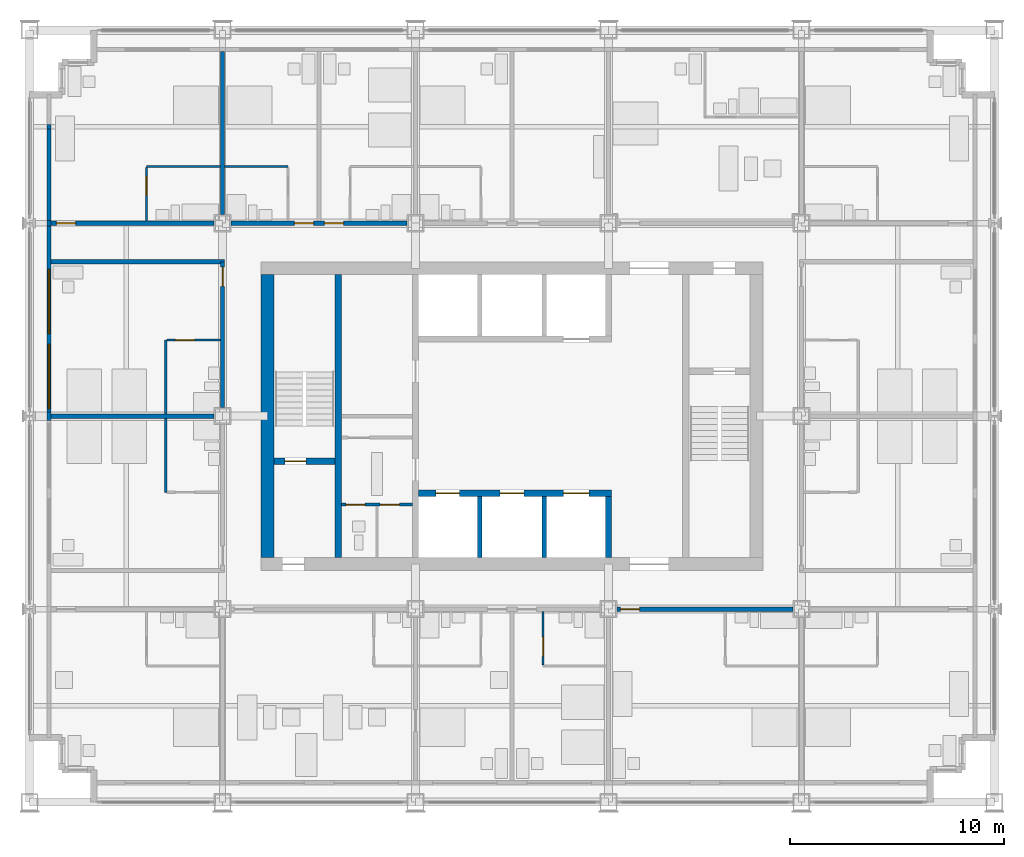
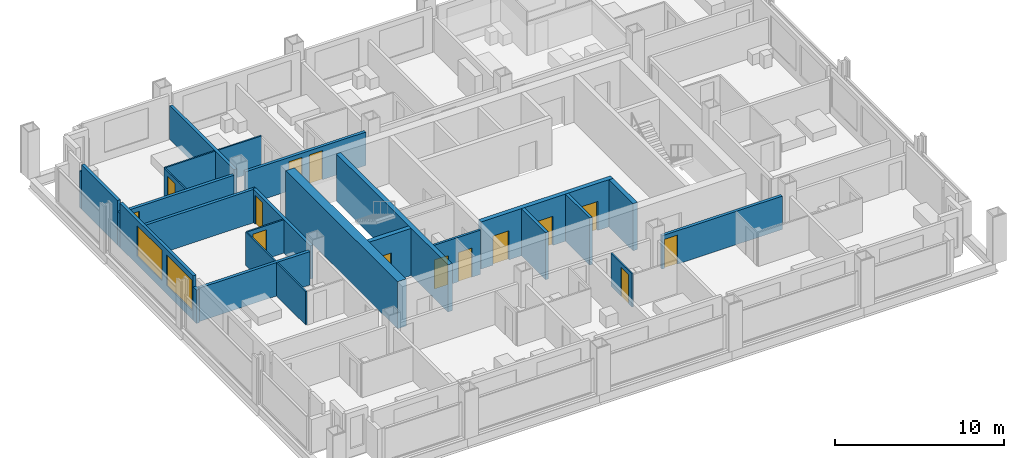
# One storey, part 10 of 16: 27 walls, 14 doors, 2 windows, 16 openings.
"""IFC4 building model written with IfcOpenShell, lengths in metres."""

from ifc_helpers import new_model, si_unit, direction, frame, frame_2d, origin, place, context, subcontext, project, spatial, rectangle, extrude, material, layer, layer_set, type_object, element, fill, save


model = new_model("IFC4")

# Units and contexts
model_context = context("Model", 3, precision=1e-05, world=origin(), true_north=direction((0.0, 1.0)))
body_context = subcontext(model_context, "Body", "Model", "MODEL_VIEW")
ifc_project = project(units=[si_unit("LENGTHUNIT", "METRE"), si_unit("AREAUNIT", "SQUARE_METRE"), si_unit("VOLUMEUNIT", "CUBIC_METRE"), si_unit("PLANEANGLEUNIT", "RADIAN"), si_unit("MASSUNIT", "GRAM", prefix="KILO")], contexts=[model_context])

# Site, building, storey
site_placement = place(None, origin())
site = spatial("IfcSite", under=ifc_project, at=site_placement, CompositionType="ELEMENT")
building_placement = place(site_placement, origin())
building = spatial("IfcBuilding", under=site, at=building_placement, Name="Loomwork Tower", CompositionType="ELEMENT")
storey_placement = place(building_placement, frame((0.0, 0.0, 135.0)))
storey = spatial("IfcBuildingStorey", under=building, at=storey_placement, Name="L36", CompositionType="ELEMENT", Elevation=135.0)

# Wall
ifc_material_1 = material(Name="Concrete 14000 psi (97 MPa)", Category="concrete")
ifc_layer_1 = layer(ifc_material_1, 0.300048828125)
ifc_layer_set_1 = layer_set([ifc_layer_1], Name="Core shear wall 300")
wall_type_1 = type_object("IfcWallType", Name="Core shear wall 300", PredefinedType="SHEAR", material=ifc_layer_set_1)
wall_1_placement = place(storey_placement, frame((14.39990234375, 11.39990234375, 0.0), z_axis=(0.0, 0.0, 1.0), x_axis=(0.0, 1.0, 0.0)))
element("IfcWall", 1, at=wall_1_placement, inside=storey, type_object=wall_type_1, Name="Stair A east wall L36", PredefinedType="SHEAR", context=body_context, shape_type="SweptSolid", body=[
    extrude(rectangle(XDim=13.2001953125, YDim=0.300048828125, at=frame_2d((6.60009765625, 0.0))), origin(), (0.0, 0.0, 1.0), 3.39990234375),
])

# Wall, opening, door
wall_2_placement = place(storey_placement, frame((11.39990234375, 15.89990234375, 0.0), z_axis=(0.0, 0.0, 1.0), x_axis=(1.0, 0.0, 0.0)))
wall_2 = element("IfcWall", 2, at=wall_2_placement, inside=storey, type_object=wall_type_1, Name="Stair A south wall L36", PredefinedType="SHEAR", context=body_context, shape_type="SweptSolid", body=[
    extrude(rectangle(XDim=2.85009765625, YDim=0.300048828125, at=frame_2d((1.425048828125, 0.0))), origin(), (0.0, 0.0, 1.0), 3.39990234375),
])
opening_1_placement = place(wall_2_placement, frame((0.5, 0.0, 0.0)))
opening_1 = element("IfcOpeningElement", 3, at=opening_1_placement, cuts=wall_2, Name="Opening D4", PredefinedType="OPENING", context=body_context, shape_type="SweptSolid", body=[
    extrude(rectangle(XDim=1.0, YDim=2.10009765625, at=frame_2d((0.5, 1.050048828125))), frame((0.0, 0.159912109375, 0.0), z_axis=(0.0, -1.0, 0.0), x_axis=(1.0, 0.0, 0.0)), (0.0, 0.0, 1.0), 0.320068359375),
])
ifc_material_2 = material(Name="Hollow metal door and frame")
door_type_1 = type_object("IfcDoorType", Name="Stair door 1000", OperationType="SINGLE_SWING_RIGHT", PredefinedType="DOOR", material=ifc_material_2)
door_1_placement = place(opening_1_placement, origin())
door_1 = element("IfcDoor", 4, at=door_1_placement, inside=storey, type_object=door_type_1, Name="Stair A door", OperationType="SINGLE_SWING_LEFT", OverallHeight=2.10009765625, OverallWidth=1.0, PredefinedType="DOOR", context=body_context, shape_type="SweptSolid", body=[
    extrude(rectangle(XDim=1.0, YDim=2.10009765625, at=frame_2d((0.5, 1.050048828125))), frame((0.0, 0.02490234375, 0.0), z_axis=(0.0, -1.0, 0.0), x_axis=(1.0, 0.0, 0.0)), (0.0, 0.0, 1.0), 0.050048828125),
])
fill(opening_1, door_1)

# Wall, openings, doors
wall_3_placement = place(storey_placement, frame((18.14990234375, 14.39990234375, 0.0), z_axis=(0.0, 0.0, 1.0), x_axis=(1.0, 0.0, 0.0)))
wall_3 = element("IfcWall", 5, at=wall_3_placement, inside=storey, type_object=wall_type_1, Name="Lift front wall south L36", PredefinedType="SHEAR", context=body_context, shape_type="SweptSolid", body=[
    extrude(rectangle(XDim=9.0, YDim=0.300048828125, at=frame_2d((4.5, 0.0))), origin(), (0.0, 0.0, 1.0), 3.39990234375),
])
opening_2_placement = place(wall_3_placement, frame((0.800048828125, 0.0, 0.0)))
opening_2 = element("IfcOpeningElement", 6, at=opening_2_placement, cuts=wall_3, Name="Opening LD1", PredefinedType="OPENING", context=body_context, shape_type="SweptSolid", body=[
    extrude(rectangle(XDim=1.10009765625, YDim=2.10009765625, at=frame_2d((0.550048828125, 1.050048828125))), frame((0.0, 0.159912109375, 0.0), z_axis=(0.0, -1.0, 0.0), x_axis=(1.0, 0.0, 0.0)), (0.0, 0.0, 1.0), 0.320068359375),
])
opening_3_placement = place(wall_3_placement, frame((3.800048828125, 0.0, 0.0)))
opening_3 = element("IfcOpeningElement", 7, at=opening_3_placement, cuts=wall_3, Name="Opening LD1", PredefinedType="OPENING", context=body_context, shape_type="SweptSolid", body=[
    extrude(rectangle(XDim=1.10009765625, YDim=2.10009765625, at=frame_2d((0.550048828125, 1.050048828125))), frame((0.0, 0.159912109375, 0.0), z_axis=(0.0, -1.0, 0.0), x_axis=(1.0, 0.0, 0.0)), (0.0, 0.0, 1.0), 0.320068359375),
])
opening_4_placement = place(wall_3_placement, frame((6.75, 0.0, 0.0)))
opening_4 = element("IfcOpeningElement", 8, at=opening_4_placement, cuts=wall_3, Name="Opening LD2", PredefinedType="OPENING", context=body_context, shape_type="SweptSolid", body=[
    extrude(rectangle(XDim=1.199951171875, YDim=2.10009765625, at=frame_2d((0.60009765625, 1.050048828125))), frame((0.0, 0.159912109375, 0.0), z_axis=(0.0, -1.0, 0.0), x_axis=(1.0, 0.0, 0.0)), (0.0, 0.0, 1.0), 0.320068359375),
])
ifc_material_3 = material(Name="Hollow metal door and frame")
door_type_2 = type_object("IfcDoorType", Name="Lift landing door 1100", OperationType="SLIDING_TO_LEFT", PredefinedType="DOOR", material=ifc_material_3)
door_2_placement = place(opening_2_placement, origin())
door_2 = element("IfcDoor", 9, at=door_2_placement, inside=storey, type_object=door_type_2, Name="Lift landing door LB1", OperationType="SLIDING_TO_LEFT", OverallHeight=2.10009765625, OverallWidth=1.10009765625, PredefinedType="DOOR", context=body_context, shape_type="SweptSolid", body=[
    extrude(rectangle(XDim=1.10009765625, YDim=2.10009765625, at=frame_2d((0.550048828125, 1.050048828125))), frame((0.0, 0.02490234375, 0.0), z_axis=(0.0, -1.0, 0.0), x_axis=(1.0, 0.0, 0.0)), (0.0, 0.0, 1.0), 0.050048828125),
])
fill(opening_2, door_2)
door_3_placement = place(opening_3_placement, origin())
door_3 = element("IfcDoor", 10, at=door_3_placement, inside=storey, type_object=door_type_2, Name="Lift landing door LB2", OperationType="SLIDING_TO_LEFT", OverallHeight=2.10009765625, OverallWidth=1.10009765625, PredefinedType="DOOR", context=body_context, shape_type="SweptSolid", body=[
    extrude(rectangle(XDim=1.10009765625, YDim=2.10009765625, at=frame_2d((0.550048828125, 1.050048828125))), frame((0.0, 0.02490234375, 0.0), z_axis=(0.0, -1.0, 0.0), x_axis=(1.0, 0.0, 0.0)), (0.0, 0.0, 1.0), 0.050048828125),
])
fill(opening_3, door_3)
ifc_material_4 = material(Name="Hollow metal door and frame")
door_type_3 = type_object("IfcDoorType", Name="Lift landing door 1200", OperationType="SLIDING_TO_LEFT", PredefinedType="DOOR", material=ifc_material_4)
door_4_placement = place(opening_4_placement, origin())
door_4 = element("IfcDoor", 11, at=door_4_placement, inside=storey, type_object=door_type_3, Name="Lift landing door LF1", OperationType="SLIDING_TO_LEFT", OverallHeight=2.10009765625, OverallWidth=1.199951171875, PredefinedType="DOOR", context=body_context, shape_type="SweptSolid", body=[
    extrude(rectangle(XDim=1.199951171875, YDim=2.10009765625, at=frame_2d((0.60009765625, 1.050048828125))), frame((0.0, 0.02490234375, 0.0), z_axis=(0.0, -1.0, 0.0), x_axis=(1.0, 0.0, 0.0)), (0.0, 0.0, 1.0), 0.050048828125),
])
fill(opening_4, door_4)

# Walls
wall_4_placement = place(storey_placement, frame((27.0, 11.39990234375, 0.0), z_axis=(0.0, 0.0, 1.0), x_axis=(0.0, 1.0, 0.0)))
element("IfcWall", 12, at=wall_4_placement, inside=storey, type_object=wall_type_1, Name="Lift shaft end wall south L36", PredefinedType="SHEAR", context=body_context, shape_type="SweptSolid", body=[
    extrude(rectangle(XDim=2.85009765625, YDim=0.300048828125, at=frame_2d((1.425048828125, 0.0))), origin(), (0.0, 0.0, 1.0), 3.39990234375),
])
ifc_material_5 = material(Name="Concrete 14000 psi (97 MPa)", Category="concrete")
ifc_layer_2 = layer(ifc_material_5, 0.60009765625)
ifc_layer_set_2 = layer_set([ifc_layer_2], Name="Core shear wall 600")
wall_type_2 = type_object("IfcWallType", Name="Core shear wall 600", PredefinedType="SHEAR", material=ifc_layer_set_2)
wall_5_placement = place(storey_placement, frame((11.10009765625, 11.39990234375, 0.0), z_axis=(0.0, 0.0, 1.0), x_axis=(0.0, 1.0, 0.0)))
element("IfcWall", 13, at=wall_5_placement, inside=storey, type_object=wall_type_2, Name="Core wall west L36", PredefinedType="SHEAR", context=body_context, shape_type="SweptSolid", body=[
    extrude(rectangle(XDim=13.2001953125, YDim=0.60009765625, at=frame_2d((6.60009765625, 0.0))), origin(), (0.0, 0.0, 1.0), 3.39990234375),
])

# Wall, opening, door
ifc_material_6 = material(Name="Gypsum board on steel studs, one-hour", Category="steel")
ifc_layer_3 = layer(ifc_material_6, 0.199951171875)
ifc_layer_set_3 = layer_set([ifc_layer_3], Name="Corridor wall 200")
wall_type_3 = type_object("IfcWallType", Name="Corridor wall 200", PredefinedType="PARTITIONING", material=ifc_layer_set_3)
wall_6_placement = place(storey_placement, frame((27.39990234375, 9.0, 0.0), z_axis=(0.0, 0.0, 1.0), x_axis=(1.0, 0.0, 0.0)))
wall_6 = element("IfcWall", 14, at=wall_6_placement, inside=storey, type_object=wall_type_3, Name="South corridor wall 4", PredefinedType="PARTITIONING", context=body_context, shape_type="SweptSolid", body=[
    extrude(rectangle(XDim=8.2001953125, YDim=0.199951171875, at=frame_2d((4.10009765625, 0.0))), origin(), (0.0, 0.0, 1.0), 2.405029296875),
])
opening_5_placement = place(wall_6_placement, frame((0.14990234375, 0.0, 0.0)))
opening_5 = element("IfcOpeningElement", 15, at=opening_5_placement, cuts=wall_6, Name="Opening D1", PredefinedType="OPENING", context=body_context, shape_type="SweptSolid", body=[
    extrude(rectangle(XDim=0.89990234375, YDim=2.10009765625, at=frame_2d((0.449951171875, 1.050048828125))), frame((0.0, 0.10986328125, 0.0), z_axis=(0.0, -1.0, 0.0), x_axis=(1.0, 0.0, 0.0)), (0.0, 0.0, 1.0), 0.219970703125),
])
ifc_material_7 = material(Name="Hollow metal door and frame")
door_type_4 = type_object("IfcDoorType", Name="Guest room entry door 900", OperationType="SINGLE_SWING_LEFT", PredefinedType="DOOR", material=ifc_material_7)
door_5_placement = place(opening_5_placement, frame((0.89990234375, 0.0, 0.0), z_axis=(0.0, 0.0, 1.0), x_axis=(-1.0, 0.0, 0.0)))
door_5 = element("IfcDoor", 16, at=door_5_placement, inside=storey, type_object=door_type_4, Name="Guest room entry door L36 5", OperationType="SINGLE_SWING_RIGHT", OverallHeight=2.10009765625, OverallWidth=0.89990234375, PredefinedType="DOOR", context=body_context, shape_type="SweptSolid", body=[
    extrude(rectangle(XDim=0.89990234375, YDim=2.10009765625, at=frame_2d((0.449951171875, 1.050048828125))), frame((0.0, 0.02490234375, 0.0), z_axis=(0.0, -1.0, 0.0), x_axis=(1.0, 0.0, 0.0)), (0.0, 0.0, 1.0), 0.050048828125),
])
fill(opening_5, door_5)

wall_7_placement = place(storey_placement, frame((1.0, 27.0, 0.0), z_axis=(0.0, 0.0, 1.0), x_axis=(1.0, 0.0, 0.0)))
wall_7 = element("IfcWall", 17, at=wall_7_placement, inside=storey, type_object=wall_type_3, Name="North corridor wall 1", PredefinedType="PARTITIONING", context=body_context, shape_type="SweptSolid", body=[
    extrude(rectangle(XDim=7.60009765625, YDim=0.199951171875, at=frame_2d((3.800048828125, 0.0))), origin(), (0.0, 0.0, 1.0), 2.43798828125),
])
opening_6_placement = place(wall_7_placement, frame((0.25, 0.0, 0.0)))
opening_6 = element("IfcOpeningElement", 18, at=opening_6_placement, cuts=wall_7, Name="Opening D1", PredefinedType="OPENING", context=body_context, shape_type="SweptSolid", body=[
    extrude(rectangle(XDim=0.89990234375, YDim=2.10009765625, at=frame_2d((0.449951171875, 1.050048828125))), frame((0.0, 0.10986328125, 0.0), z_axis=(0.0, -1.0, 0.0), x_axis=(1.0, 0.0, 0.0)), (0.0, 0.0, 1.0), 0.219970703125),
])
door_6_placement = place(opening_6_placement, origin())
door_6 = element("IfcDoor", 19, at=door_6_placement, inside=storey, type_object=door_type_4, Name="Guest room entry door L36 7", OperationType="SINGLE_SWING_LEFT", OverallHeight=2.10009765625, OverallWidth=0.89990234375, PredefinedType="DOOR", context=body_context, shape_type="SweptSolid", body=[
    extrude(rectangle(XDim=0.89990234375, YDim=2.10009765625, at=frame_2d((0.449951171875, 1.050048828125))), frame((0.0, 0.02490234375, 0.0), z_axis=(0.0, -1.0, 0.0), x_axis=(1.0, 0.0, 0.0)), (0.0, 0.0, 1.0), 0.050048828125),
])
fill(opening_6, door_6)

# Wall, openings, doors
wall_8_placement = place(storey_placement, frame((9.39990234375, 27.0, 0.0), z_axis=(0.0, 0.0, 1.0), x_axis=(1.0, 0.0, 0.0)))
wall_8 = element("IfcWall", 20, at=wall_8_placement, inside=storey, type_object=wall_type_3, Name="North corridor wall 2", PredefinedType="PARTITIONING", context=body_context, shape_type="SweptSolid", body=[
    extrude(rectangle(XDim=8.2001953125, YDim=0.199951171875, at=frame_2d((4.10009765625, 0.0))), origin(), (0.0, 0.0, 1.0), 2.405029296875),
])
opening_7_placement = place(wall_8_placement, frame((2.949951171875, 0.0, 0.0)))
opening_7 = element("IfcOpeningElement", 21, at=opening_7_placement, cuts=wall_8, Name="Opening D1", PredefinedType="OPENING", context=body_context, shape_type="SweptSolid", body=[
    extrude(rectangle(XDim=0.89990234375, YDim=2.10009765625, at=frame_2d((0.449951171875, 1.050048828125))), frame((0.0, 0.10986328125, 0.0), z_axis=(0.0, -1.0, 0.0), x_axis=(1.0, 0.0, 0.0)), (0.0, 0.0, 1.0), 0.219970703125),
])
opening_8_placement = place(wall_8_placement, frame((4.35009765625, 0.0, 0.0)))
opening_8 = element("IfcOpeningElement", 22, at=opening_8_placement, cuts=wall_8, Name="Opening D1", PredefinedType="OPENING", context=body_context, shape_type="SweptSolid", body=[
    extrude(rectangle(XDim=0.89990234375, YDim=2.10009765625, at=frame_2d((0.449951171875, 1.050048828125))), frame((0.0, 0.10986328125, 0.0), z_axis=(0.0, -1.0, 0.0), x_axis=(1.0, 0.0, 0.0)), (0.0, 0.0, 1.0), 0.219970703125),
])
door_7_placement = place(opening_7_placement, origin())
door_7 = element("IfcDoor", 23, at=door_7_placement, inside=storey, type_object=door_type_4, Name="Guest room entry door L36 8", OperationType="SINGLE_SWING_RIGHT", OverallHeight=2.10009765625, OverallWidth=0.89990234375, PredefinedType="DOOR", context=body_context, shape_type="SweptSolid", body=[
    extrude(rectangle(XDim=0.89990234375, YDim=2.10009765625, at=frame_2d((0.449951171875, 1.050048828125))), frame((0.0, 0.02490234375, 0.0), z_axis=(0.0, -1.0, 0.0), x_axis=(1.0, 0.0, 0.0)), (0.0, 0.0, 1.0), 0.050048828125),
])
fill(opening_7, door_7)
door_8_placement = place(opening_8_placement, origin())
door_8 = element("IfcDoor", 24, at=door_8_placement, inside=storey, type_object=door_type_4, Name="Guest room entry door L36 9", OperationType="SINGLE_SWING_LEFT", OverallHeight=2.10009765625, OverallWidth=0.89990234375, PredefinedType="DOOR", context=body_context, shape_type="SweptSolid", body=[
    extrude(rectangle(XDim=0.89990234375, YDim=2.10009765625, at=frame_2d((0.449951171875, 1.050048828125))), frame((0.0, 0.02490234375, 0.0), z_axis=(0.0, -1.0, 0.0), x_axis=(1.0, 0.0, 0.0)), (0.0, 0.0, 1.0), 0.050048828125),
])
fill(opening_8, door_8)

# Wall, opening, door
wall_9_placement = place(storey_placement, frame((9.0, 18.39990234375, 0.0), z_axis=(0.0, 0.0, 1.0), x_axis=(0.0, 1.0, 0.0)))
wall_9 = element("IfcWall", 25, at=wall_9_placement, inside=storey, type_object=wall_type_3, Name="West corridor wall 2", PredefinedType="PARTITIONING", context=body_context, shape_type="SweptSolid", body=[
    extrude(rectangle(XDim=6.800048828125, YDim=0.199951171875, at=frame_2d((3.39990234375, 0.0))), origin(), (0.0, 0.0, 1.0), 2.405029296875),
])
opening_9_placement = place(wall_9_placement, frame((5.64990234375, 0.0, 0.0)))
opening_9 = element("IfcOpeningElement", 26, at=opening_9_placement, cuts=wall_9, Name="Opening D1", PredefinedType="OPENING", context=body_context, shape_type="SweptSolid", body=[
    extrude(rectangle(XDim=0.89990234375, YDim=2.10009765625, at=frame_2d((0.449951171875, 1.050048828125))), frame((0.0, 0.10986328125, 0.0), z_axis=(0.0, -1.0, 0.0), x_axis=(1.0, 0.0, 0.0)), (0.0, 0.0, 1.0), 0.219970703125),
])
door_9_placement = place(opening_9_placement, origin())
door_9 = element("IfcDoor", 27, at=door_9_placement, inside=storey, type_object=door_type_4, Name="Guest room entry door L36 15", OperationType="SINGLE_SWING_RIGHT", OverallHeight=2.10009765625, OverallWidth=0.89990234375, PredefinedType="DOOR", context=body_context, shape_type="SweptSolid", body=[
    extrude(rectangle(XDim=0.89990234375, YDim=2.10009765625, at=frame_2d((0.449951171875, 1.050048828125))), frame((0.0, 0.02490234375, 0.0), z_axis=(0.0, -1.0, 0.0), x_axis=(1.0, 0.0, 0.0)), (0.0, 0.0, 1.0), 0.050048828125),
])
fill(opening_9, door_9)

# Wall
wall_10_placement = place(storey_placement, frame((1.0, 25.199951171875, 0.0), z_axis=(0.0, 0.0, 1.0), x_axis=(1.0, 0.0, 0.0)))
element("IfcWall", 28, at=wall_10_placement, inside=storey, type_object=wall_type_3, Name="West band end wall N", PredefinedType="PARTITIONING", context=body_context, shape_type="SweptSolid", body=[
    extrude(rectangle(XDim=8.10009765625, YDim=0.199951171875, at=frame_2d((4.050048828125, 0.0))), origin(), (0.0, 0.0, 1.0), 2.404052734375),
])

# Wall, opening, door
ifc_material_8 = material(Name="Cement board on steel studs", Category="steel")
ifc_layer_4 = layer(ifc_material_8, 0.10009765625)
ifc_layer_set_4 = layer_set([ifc_layer_4], Name="En-suite partition 100")
wall_type_4 = type_object("IfcWallType", Name="En-suite partition 100", PredefinedType="PARTITIONING", material=ifc_layer_set_4)
wall_11_placement = place(storey_placement, frame((23.949951171875, 8.89990234375, 0.0), z_axis=(0.0, 0.0, 1.0), x_axis=(0.0, -1.0, 0.0)))
wall_11 = element("IfcWall", 29, at=wall_11_placement, inside=storey, type_object=wall_type_4, Name="En-suite side wall L36 room 4", PredefinedType="PARTITIONING", context=body_context, shape_type="SweptSolid", body=[
    extrude(rectangle(XDim=2.5, YDim=0.10009765625, at=frame_2d((1.25, 0.0))), origin(), (0.0, 0.0, 1.0), 2.404052734375),
])
opening_10_placement = place(wall_11_placement, frame((1.199951171875, 0.0, 0.0)))
opening_10 = element("IfcOpeningElement", 30, at=opening_10_placement, cuts=wall_11, Name="Opening D2", PredefinedType="OPENING", context=body_context, shape_type="SweptSolid", body=[
    extrude(rectangle(XDim=0.89990234375, YDim=2.10009765625, at=frame_2d((0.449951171875, 1.050048828125))), frame((0.0, 0.06005859375, 0.0), z_axis=(0.0, -1.0, 0.0), x_axis=(1.0, 0.0, 0.0)), (0.0, 0.0, 1.0), 0.1201171875),
])
ifc_material_9 = material(Name="Hollow metal door and frame")
door_type_5 = type_object("IfcDoorType", Name="En-suite door 900", OperationType="SINGLE_SWING_LEFT", PredefinedType="DOOR", material=ifc_material_9)
door_10_placement = place(opening_10_placement, origin())
door_10 = element("IfcDoor", 31, at=door_10_placement, inside=storey, type_object=door_type_5, Name="En-suite door room 4", OperationType="SINGLE_SWING_RIGHT", OverallHeight=2.10009765625, OverallWidth=0.89990234375, PredefinedType="DOOR", context=body_context, shape_type="SweptSolid", body=[
    extrude(rectangle(XDim=0.89990234375, YDim=2.10009765625, at=frame_2d((0.449951171875, 1.050048828125))), frame((0.0, 0.02490234375, 0.0), z_axis=(0.0, -1.0, 0.0), x_axis=(1.0, 0.0, 0.0)), (0.0, 0.0, 1.0), 0.050048828125),
])
fill(opening_10, door_10)

# Wall
wall_12_placement = place(storey_placement, frame((5.449951171875, 29.64990234375, 0.0), z_axis=(0.0, 0.0, 1.0), x_axis=(1.0, 0.0, 0.0)))
element("IfcWall", 32, at=wall_12_placement, inside=storey, type_object=wall_type_4, Name="En-suite wall L36 room 7", PredefinedType="PARTITIONING", context=body_context, shape_type="SweptSolid", body=[
    extrude(rectangle(XDim=3.449951171875, YDim=0.10009765625, at=frame_2d((1.72509765625, 0.0))), origin(), (0.0, 0.0, 1.0), 2.43798828125),
])

# Wall, opening, door
wall_13_placement = place(storey_placement, frame((5.449951171875, 27.10009765625, 0.0), z_axis=(0.0, 0.0, 1.0), x_axis=(0.0, 1.0, 0.0)))
wall_13 = element("IfcWall", 33, at=wall_13_placement, inside=storey, type_object=wall_type_4, Name="En-suite side wall L36 room 7", PredefinedType="PARTITIONING", context=body_context, shape_type="SweptSolid", body=[
    extrude(rectangle(XDim=2.5, YDim=0.10009765625, at=frame_2d((1.25, 0.0))), origin(), (0.0, 0.0, 1.0), 2.43798828125),
])
opening_11_placement = place(wall_13_placement, frame((1.199951171875, 0.0, 0.0)))
opening_11 = element("IfcOpeningElement", 34, at=opening_11_placement, cuts=wall_13, Name="Opening D2", PredefinedType="OPENING", context=body_context, shape_type="SweptSolid", body=[
    extrude(rectangle(XDim=0.89990234375, YDim=2.10009765625, at=frame_2d((0.449951171875, 1.050048828125))), frame((0.0, 0.06005859375, 0.0), z_axis=(0.0, -1.0, 0.0), x_axis=(1.0, 0.0, 0.0)), (0.0, 0.0, 1.0), 0.1201171875),
])
door_11_placement = place(opening_11_placement, frame((0.89990234375, 0.0, 0.0), z_axis=(0.0, 0.0, 1.0), x_axis=(-1.0, 0.0, 0.0)))
door_11 = element("IfcDoor", 35, at=door_11_placement, inside=storey, type_object=door_type_5, Name="En-suite door room 7", OperationType="SINGLE_SWING_LEFT", OverallHeight=2.10009765625, OverallWidth=0.89990234375, PredefinedType="DOOR", context=body_context, shape_type="SweptSolid", body=[
    extrude(rectangle(XDim=0.89990234375, YDim=2.10009765625, at=frame_2d((0.449951171875, 1.050048828125))), frame((0.0, 0.02490234375, 0.0), z_axis=(0.0, -1.0, 0.0), x_axis=(1.0, 0.0, 0.0)), (0.0, 0.0, 1.0), 0.050048828125),
])
fill(opening_11, door_11)

# Walls
wall_14_placement = place(storey_placement, frame((9.10009765625, 29.64990234375, 0.0), z_axis=(0.0, 0.0, 1.0), x_axis=(1.0, 0.0, 0.0)))
element("IfcWall", 36, at=wall_14_placement, inside=storey, type_object=wall_type_4, Name="En-suite wall L36 room 8", PredefinedType="PARTITIONING", context=body_context, shape_type="SweptSolid", body=[
    extrude(rectangle(XDim=2.949951171875, YDim=0.10009765625, at=frame_2d((1.47509765625, 0.0))), origin(), (0.0, 0.0, 1.0), 2.43798828125),
])
for number, where, z_axis, x_axis, name in (
    (37, (6.35009765625, 14.449951171875, 0.0), (0.0, 0.0, 1.0), (0.0, 1.0, 0.0), "En-suite wall L36 room 14"),
    (38, (6.35009765625, 18.10009765625, 0.0), (0.0, 0.0, 1.0), (0.0, 1.0, 0.0), "En-suite wall L36 room 15"),
):
    element("IfcWall", number, at=place(storey_placement, frame(where, z_axis=z_axis, x_axis=x_axis)), inside=storey, type_object=wall_type_4, Name=name, PredefinedType="PARTITIONING", context=body_context, shape_type="SweptSolid", body=[
        extrude(rectangle(XDim=3.449951171875, YDim=0.10009765625, at=frame_2d((1.72509765625, 0.0))), origin(), (0.0, 0.0, 1.0), 2.404052734375),
    ])

# Wall, opening, door
wall_15_placement = place(storey_placement, frame((8.89990234375, 21.550048828125, 0.0), z_axis=(0.0, 0.0, 1.0), x_axis=(-1.0, 0.0, 0.0)))
wall_15 = element("IfcWall", 39, at=wall_15_placement, inside=storey, type_object=wall_type_4, Name="En-suite side wall L36 room 15", PredefinedType="PARTITIONING", context=body_context, shape_type="SweptSolid", body=[
    extrude(rectangle(XDim=2.5, YDim=0.10009765625, at=frame_2d((1.25, 0.0))), origin(), (0.0, 0.0, 1.0), 2.404052734375),
])
opening_12_placement = place(wall_15_placement, frame((1.199951171875, 0.0, 0.0)))
opening_12 = element("IfcOpeningElement", 40, at=opening_12_placement, cuts=wall_15, Name="Opening D2", PredefinedType="OPENING", context=body_context, shape_type="SweptSolid", body=[
    extrude(rectangle(XDim=0.89990234375, YDim=2.10009765625, at=frame_2d((0.449951171875, 1.050048828125))), frame((0.0, 0.06005859375, 0.0), z_axis=(0.0, -1.0, 0.0), x_axis=(1.0, 0.0, 0.0)), (0.0, 0.0, 1.0), 0.1201171875),
])
door_12_placement = place(opening_12_placement, origin())
door_12 = element("IfcDoor", 41, at=door_12_placement, inside=storey, type_object=door_type_5, Name="En-suite door room 15", OperationType="SINGLE_SWING_RIGHT", OverallHeight=2.10009765625, OverallWidth=0.89990234375, PredefinedType="DOOR", context=body_context, shape_type="SweptSolid", body=[
    extrude(rectangle(XDim=0.89990234375, YDim=2.10009765625, at=frame_2d((0.449951171875, 1.050048828125))), frame((0.0, 0.02490234375, 0.0), z_axis=(0.0, -1.0, 0.0), x_axis=(1.0, 0.0, 0.0)), (0.0, 0.0, 1.0), 0.050048828125),
])
fill(opening_12, door_12)

# Walls
ifc_material_10 = material(Name="Gypsum board on steel studs, acoustic", Category="steel")
ifc_layer_5 = layer(ifc_material_10, 0.199951171875)
ifc_layer_set_5 = layer_set([ifc_layer_5], Name="Guest room party wall 200")
wall_type_5 = type_object("IfcWallType", Name="Guest room party wall 200", PredefinedType="PARTITIONING", material=ifc_layer_set_5)
wall_16_placement = place(storey_placement, frame((9.0, 27.39990234375, 0.0), z_axis=(0.0, 0.0, 1.0), x_axis=(0.0, 1.0, 0.0)))
element("IfcWall", 42, at=wall_16_placement, inside=storey, type_object=wall_type_5, Name="Guest room party wall N 9", PredefinedType="PARTITIONING", context=body_context, shape_type="SweptSolid", body=[
    extrude(rectangle(XDim=7.60009765625, YDim=0.199951171875, at=frame_2d((3.800048828125, 0.0))), origin(), (0.0, 0.0, 1.0), 2.43798828125),
])
wall_17_placement = place(storey_placement, frame((8.60009765625, 18.0, 0.0), z_axis=(0.0, 0.0, 1.0), x_axis=(-1.0, 0.0, 0.0)))
element("IfcWall", 43, at=wall_17_placement, inside=storey, type_object=wall_type_5, Name="Guest room party wall W 18", PredefinedType="PARTITIONING", context=body_context, shape_type="SweptSolid", body=[
    extrude(rectangle(XDim=7.60009765625, YDim=0.199951171875, at=frame_2d((3.800048828125, 0.0))), origin(), (0.0, 0.0, 1.0), 2.405029296875),
])
ifc_material_11 = material(Name="Insulated steel stud wall with gypsum lining", Category="steel")
ifc_layer_6 = layer(ifc_material_11, 0.199951171875)
ifc_layer_set_6 = layer_set([ifc_layer_6], Name="Inner skin wall 200")
wall_type_6 = type_object("IfcWallType", Name="Inner skin wall 200", PredefinedType="SOLIDWALL", material=ifc_layer_set_6)
wall_18_placement = place(storey_placement, frame((0.89990234375, 17.80615234375, 0.0), z_axis=(0.0, 0.0, 1.0), x_axis=(0.0, 1.0, 0.0)))
element("IfcWall", 44, at=wall_18_placement, inside=storey, type_object=wall_type_6, Name="Inner skin wall W bay 6", PredefinedType="SOLIDWALL", context=body_context, shape_type="SweptSolid", body=[
    extrude(rectangle(XDim=0.3876953125, YDim=0.199951171875, at=frame_2d((0.19384765625, 0.0))), origin(), (0.0, 0.0, 1.0), 2.404052734375),
])

# Wall, openings, windows
wall_19_placement = place(storey_placement, frame((0.89990234375, 18.19384765625, 0.0), z_axis=(0.0, 0.0, 1.0), x_axis=(0.0, 1.0, 0.0)))
wall_19 = element("IfcWall", 45, at=wall_19_placement, inside=storey, type_object=wall_type_6, Name="Inner skin wall W bay 7", PredefinedType="SOLIDWALL", context=body_context, shape_type="SweptSolid", body=[
    extrude(rectangle(XDim=8.6708984375, YDim=0.199951171875, at=frame_2d((4.33544921875, 0.0))), origin(), (0.0, 0.0, 1.0), 3.199951171875),
])
opening_13_placement = place(wall_19_placement, frame((0.15625, 0.0, 0.60009765625)))
opening_13 = element("IfcOpeningElement", 46, at=opening_13_placement, cuts=wall_19, Name="Opening CH1", PredefinedType="OPENING", context=body_context, shape_type="SweptSolid", body=[
    extrude(rectangle(XDim=3.0, YDim=2.199951171875, at=frame_2d((1.5, 1.10009765625))), frame((0.0, 0.10986328125, 0.0), z_axis=(0.0, -1.0, 0.0), x_axis=(1.0, 0.0, 0.0)), (0.0, 0.0, 1.0), 0.219970703125),
])
opening_14_placement = place(wall_19_placement, frame((3.65625, 0.0, 0.60009765625)))
opening_14 = element("IfcOpeningElement", 47, at=opening_14_placement, cuts=wall_19, Name="Opening CH1", PredefinedType="OPENING", context=body_context, shape_type="SweptSolid", body=[
    extrude(rectangle(XDim=3.0, YDim=2.199951171875, at=frame_2d((1.5, 1.10009765625))), frame((0.0, 0.10986328125, 0.0), z_axis=(0.0, -1.0, 0.0), x_axis=(1.0, 0.0, 0.0)), (0.0, 0.0, 1.0), 0.219970703125),
])
ifc_material_12 = material(Name="Aluminium frame with clear insulated glass", Category="aluminium")
window_type = type_object("IfcWindowType", Name="Chicago window 3000", PartitioningType="TRIPLE_PANEL_VERTICAL", PredefinedType="WINDOW", material=ifc_material_12)
window_1_placement = place(opening_13_placement, origin())
window_1 = element("IfcWindow", 48, at=window_1_placement, inside=storey, type_object=window_type, Name="Chicago window L36 bay 12", OverallHeight=2.199951171875, OverallWidth=3.0, PartitioningType="TRIPLE_PANEL_VERTICAL", PredefinedType="WINDOW", context=body_context, shape_type="SweptSolid", body=[
    extrude(rectangle(XDim=3.0, YDim=2.199951171875, at=frame_2d((1.5, 1.10009765625))), frame((0.0, 0.030029296875, 0.0), z_axis=(0.0, -1.0, 0.0), x_axis=(1.0, 0.0, 0.0)), (0.0, 0.0, 1.0), 0.06005859375),
])
fill(opening_13, window_1)
window_2_placement = place(opening_14_placement, origin())
window_2 = element("IfcWindow", 49, at=window_2_placement, inside=storey, type_object=window_type, Name="Chicago window L36 bay 12", OverallHeight=2.199951171875, OverallWidth=3.0, PartitioningType="TRIPLE_PANEL_VERTICAL", PredefinedType="WINDOW", context=body_context, shape_type="SweptSolid", body=[
    extrude(rectangle(XDim=3.0, YDim=2.199951171875, at=frame_2d((1.5, 1.10009765625))), frame((0.0, 0.030029296875, 0.0), z_axis=(0.0, -1.0, 0.0), x_axis=(1.0, 0.0, 0.0)), (0.0, 0.0, 1.0), 0.06005859375),
])
fill(opening_14, window_2)

# Walls
wall_20_placement = place(storey_placement, frame((0.89990234375, 26.86474609375, 0.0), z_axis=(0.0, 0.0, 1.0), x_axis=(0.0, 1.0, 0.0)))
element("IfcWall", 50, at=wall_20_placement, inside=storey, type_object=wall_type_6, Name="Inner skin wall W bay 8", PredefinedType="SOLIDWALL", context=body_context, shape_type="SweptSolid", body=[
    extrude(rectangle(XDim=0.2705078125, YDim=0.199951171875, at=frame_2d((0.13525390625, 0.0))), origin(), (0.0, 0.0, 1.0), 2.43798828125),
])
wall_21_placement = place(storey_placement, frame((0.89990234375, 27.13525390625, 0.0), z_axis=(0.0, 0.0, 1.0), x_axis=(0.0, 1.0, 0.0)))
element("IfcWall", 51, at=wall_21_placement, inside=storey, type_object=wall_type_6, Name="Inner skin wall W bay 9", PredefinedType="SOLIDWALL", context=body_context, shape_type="SweptSolid", body=[
    extrude(rectangle(XDim=4.25732421875, YDim=0.199951171875, at=frame_2d((2.128662109375, 0.0))), origin(), (0.0, 0.0, 1.0), 3.199951171875),
])
wall_22_placement = place(storey_placement, frame((0.89990234375, 31.392578125, 0.0), z_axis=(0.0, 0.0, 1.0), x_axis=(0.0, 1.0, 0.0)))
element("IfcWall", 52, at=wall_22_placement, inside=storey, type_object=wall_type_6, Name="Inner skin wall W bay 10", PredefinedType="SOLIDWALL", context=body_context, shape_type="SweptSolid", body=[
    extrude(rectangle(XDim=0.21484375, YDim=0.199951171875, at=frame_2d((0.107421875, 0.0))), origin(), (0.0, 0.0, 1.0), 2.660888671875),
])
ifc_material_13 = material(Name="Concrete 14000 psi (97 MPa)", Category="concrete")
ifc_layer_7 = layer(ifc_material_13, 0.199951171875)
ifc_layer_set_7 = layer_set([ifc_layer_7], Name="Lift shaft wall 200")
wall_type_7 = type_object("IfcWallType", Name="Lift shaft wall 200", PredefinedType="SHEAR", material=ifc_layer_set_7)
for number, where, z_axis, x_axis, name in (
    (53, (21.0, 11.39990234375, 0.0), (0.0, 0.0, 1.0), (0.0, 1.0, 0.0), "Lift shaft separation wall south 1 L36"),
    (54, (24.0, 11.39990234375, 0.0), (0.0, 0.0, 1.0), (0.0, 1.0, 0.0), "Lift shaft separation wall south 2 L36"),
):
    element("IfcWall", number, at=place(storey_placement, frame(where, z_axis=z_axis, x_axis=x_axis)), inside=storey, type_object=wall_type_7, Name=name, PredefinedType="SHEAR", context=body_context, shape_type="SweptSolid", body=[
        extrude(rectangle(XDim=2.85009765625, YDim=0.199951171875, at=frame_2d((1.425048828125, 0.0))), origin(), (0.0, 0.0, 1.0), 3.39990234375),
    ])

# Wall, openings, doors
ifc_material_14 = material(Name="Gypsum board on steel studs, one-hour", Category="steel")
ifc_layer_8 = layer(ifc_material_14, 0.14990234375)
ifc_layer_set_8 = layer_set([ifc_layer_8], Name="Service partition 150")
wall_type_8 = type_object("IfcWallType", Name="Service partition 150", PredefinedType="PARTITIONING", material=ifc_layer_set_8)
wall_23_placement = place(storey_placement, frame((14.550048828125, 13.875, 0.0), z_axis=(0.0, 0.0, 1.0), x_axis=(1.0, 0.0, 0.0)))
wall_23 = element("IfcWall", 55, at=wall_23_placement, inside=storey, type_object=wall_type_8, Name="Back-of-house partition L36", PredefinedType="PARTITIONING", context=body_context, shape_type="SweptSolid", body=[
    extrude(rectangle(XDim=3.300048828125, YDim=0.14990234375, at=frame_2d((1.64990234375, 0.0))), origin(), (0.0, 0.0, 1.0), 3.199951171875),
])
opening_15_placement = place(wall_23_placement, frame((0.199951171875, 0.0, 0.0)))
opening_15 = element("IfcOpeningElement", 56, at=opening_15_placement, cuts=wall_23, Name="Opening D20", PredefinedType="OPENING", context=body_context, shape_type="SweptSolid", body=[
    extrude(rectangle(XDim=0.89990234375, YDim=2.10009765625, at=frame_2d((0.449951171875, 1.050048828125))), frame((0.0, 0.0849609375, 0.0), z_axis=(0.0, -1.0, 0.0), x_axis=(1.0, 0.0, 0.0)), (0.0, 0.0, 1.0), 0.169921875),
])
opening_16_placement = place(wall_23_placement, frame((1.800048828125, 0.0, 0.0)))
opening_16 = element("IfcOpeningElement", 57, at=opening_16_placement, cuts=wall_23, Name="Opening D20", PredefinedType="OPENING", context=body_context, shape_type="SweptSolid", body=[
    extrude(rectangle(XDim=0.89990234375, YDim=2.10009765625, at=frame_2d((0.449951171875, 1.050048828125))), frame((0.0, 0.0849609375, 0.0), z_axis=(0.0, -1.0, 0.0), x_axis=(1.0, 0.0, 0.0)), (0.0, 0.0, 1.0), 0.169921875),
])
ifc_material_15 = material(Name="Hollow metal door and frame")
door_type_6 = type_object("IfcDoorType", Name="Back-of-house door 900", OperationType="SINGLE_SWING_LEFT", PredefinedType="DOOR", material=ifc_material_15)
door_13_placement = place(opening_15_placement, frame((0.89990234375, 0.0, 0.0), z_axis=(0.0, 0.0, 1.0), x_axis=(-1.0, 0.0, 0.0)))
door_13 = element("IfcDoor", 58, at=door_13_placement, inside=storey, type_object=door_type_6, Name="Back-of-house room door", OperationType="SINGLE_SWING_RIGHT", OverallHeight=2.10009765625, OverallWidth=0.89990234375, PredefinedType="DOOR", context=body_context, shape_type="SweptSolid", body=[
    extrude(rectangle(XDim=0.89990234375, YDim=2.10009765625, at=frame_2d((0.449951171875, 1.050048828125))), frame((0.0, 0.02490234375, 0.0), z_axis=(0.0, -1.0, 0.0), x_axis=(1.0, 0.0, 0.0)), (0.0, 0.0, 1.0), 0.050048828125),
])
fill(opening_15, door_13)
door_14_placement = place(opening_16_placement, frame((0.89990234375, 0.0, 0.0), z_axis=(0.0, 0.0, 1.0), x_axis=(-1.0, 0.0, 0.0)))
door_14 = element("IfcDoor", 59, at=door_14_placement, inside=storey, type_object=door_type_6, Name="Back-of-house room door", OperationType="SINGLE_SWING_RIGHT", OverallHeight=2.10009765625, OverallWidth=0.89990234375, PredefinedType="DOOR", context=body_context, shape_type="SweptSolid", body=[
    extrude(rectangle(XDim=0.89990234375, YDim=2.10009765625, at=frame_2d((0.449951171875, 1.050048828125))), frame((0.0, 0.02490234375, 0.0), z_axis=(0.0, -1.0, 0.0), x_axis=(1.0, 0.0, 0.0)), (0.0, 0.0, 1.0), 0.050048828125),
])
fill(opening_16, door_14)

save(model, "model.ifc")
